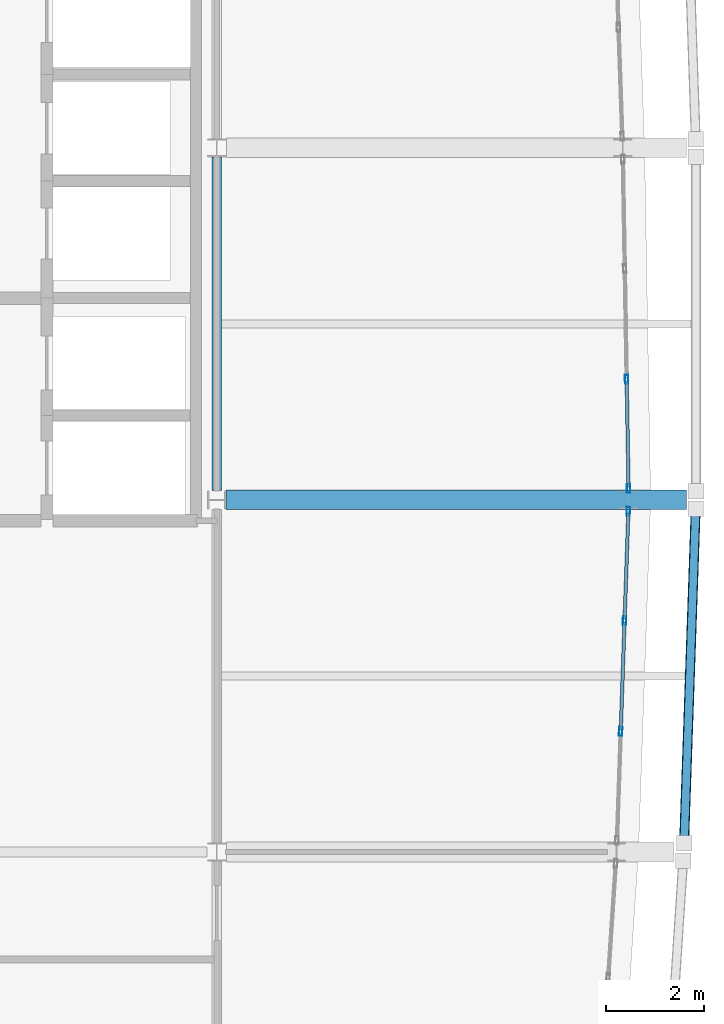
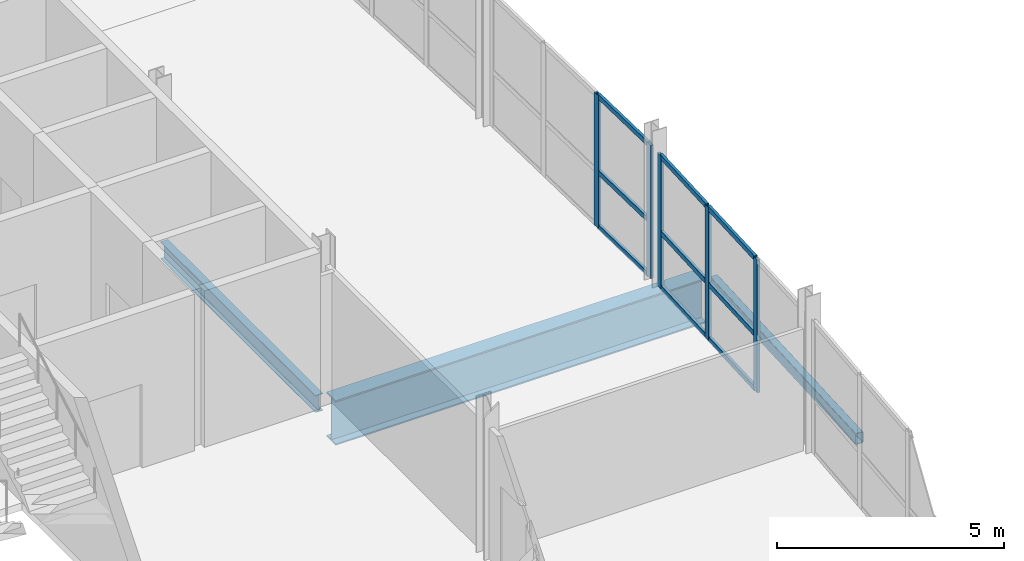
# One storey, part 6 of 23: 14 members, 3 beams, 2 elements without a shape of their own.
"""IFC4 building model written with IfcOpenShell, lengths in metres."""

from ifc_helpers import new_model, si_unit, direction, frame, origin, origin_2d, place, context, subcontext, project, spatial, hollow_rectangle, i_section, extrude, material, layer, layer_set, material_profile, profile_set, type_object, element, aggregate, save


model = new_model("IFC4")

# Units and contexts
model_context = context("Model", 3, precision=1e-05, world=origin(), true_north=direction((0.0, 1.0)))
body_context = subcontext(model_context, "Body", "Model", "MODEL_VIEW")
ifc_project = project(units=[si_unit("LENGTHUNIT", "METRE"), si_unit("AREAUNIT", "SQUARE_METRE"), si_unit("VOLUMEUNIT", "CUBIC_METRE"), si_unit("PLANEANGLEUNIT", "RADIAN"), si_unit("MASSUNIT", "GRAM", prefix="KILO")], contexts=[model_context])

# Site, building, storey
site_placement = place(None, origin())
site = spatial("IfcSite", under=ifc_project, at=site_placement, CompositionType="ELEMENT")
building_placement = place(site_placement, origin())
building = spatial("IfcBuilding", under=site, at=building_placement, Name="Quillay Park Conservatory", CompositionType="ELEMENT")
storey_placement = place(building_placement, frame((0.0, 0.0, 22.5)))
storey = spatial("IfcBuildingStorey", under=building, at=storey_placement, Name="L05", CompositionType="ELEMENT", Elevation=22.5)

# Curtain wall, members
ifc_material_1 = material(Name="Thermally Broken Anodised Aluminium 6063-T6", Category="aluminium")
ifc_layer = layer(ifc_material_1, 0.179931640625)
ifc_layer_set = layer_set([ifc_layer], Name="UNITISED CURTAIN WALL TOWER (Thermally Broken Anodised Aluminium 6063-T6)")
curtain_wall_type = type_object("IfcCurtainWallType", Name="UNITISED CURTAIN WALL TOWER", PredefinedType="USERDEFINED", material=ifc_layer_set)
curtain_wall_1_placement = place(storey_placement, origin())
curtain_wall_1 = element("IfcCurtainWall", 1, at=curtain_wall_1_placement, inside=storey, type_object=curtain_wall_type, Name="L05 Unitised Curtain Wall 050", ObjectType="UNITISED CURTAIN WALL", PredefinedType="USERDEFINED")
ifc_material_2 = material(Name="Thermally Broken Anodised Aluminium 6063-T6", Category="aluminium")
ifc_material_profile_1 = material_profile(ifc_material_2, hollow_rectangle(XDim=0.070068359375, YDim=0.179931640625, WallThickness=0.00390625, at=origin_2d()), Name="AL70x180x4")
ifc_profile_set_1 = profile_set([ifc_material_profile_1], Name="Thermally Broken Anodised Aluminium 6063-T6")
member_type_1 = type_object("IfcMemberType", Name="CURTAIN WALL MULLION 70 X180", PredefinedType="MULLION", material=ifc_profile_set_1)
member_1_placement = place(storey_placement, frame((28.1669921875, 84.965087890625, 0.0), z_axis=(0.0, 0.0, 1.0), x_axis=(0.999397310446, -0.034713338537, 0.0)))
member_1 = element("IfcMember", 2, at=member_1_placement, type_object=member_type_1, Name="CW-T1 mullion 1", PredefinedType="MULLION", context=body_context, shape_type="SweptSolid", body=[
    extrude(hollow_rectangle(XDim=0.070068359375, YDim=0.179931640625, WallThickness=0.00390625, at=origin_2d()), origin(), (0.0, 0.0, 1.0), 3.569091796875),
])
member_2_placement = place(storey_placement, frame((28.08935546875, 82.7333984375, 0.0), z_axis=(0.0, 0.0, 1.0), x_axis=(0.999397310446, -0.034713338537, 0.0)))
member_2 = element("IfcMember", 3, at=member_2_placement, type_object=member_type_1, Name="CW-T1 mullion 2", PredefinedType="MULLION", context=body_context, shape_type="SweptSolid", body=[
    extrude(hollow_rectangle(XDim=0.070068359375, YDim=0.179931640625, WallThickness=0.00390625, at=origin_2d()), origin(), (0.0, 0.0, 1.0), 3.569091796875),
])
member_3_placement = place(storey_placement, frame((28.0107421875, 80.466552734375, 0.0), z_axis=(0.0, 0.0, 1.0), x_axis=(0.999397310446, -0.034713338537, 0.0)))
member_3 = element("IfcMember", 4, at=member_3_placement, type_object=member_type_1, Name="CW-T1 mullion 3", PredefinedType="MULLION", context=body_context, shape_type="SweptSolid", body=[
    extrude(hollow_rectangle(XDim=0.070068359375, YDim=0.179931640625, WallThickness=0.00390625, at=origin_2d()), origin(), (0.0, 0.0, 1.0), 3.569091796875),
])

curtain_wall_2_placement = place(storey_placement, origin())
curtain_wall_2 = element("IfcCurtainWall", 5, at=curtain_wall_2_placement, inside=storey, type_object=curtain_wall_type, Name="L05 Unitised Curtain Wall 051", ObjectType="UNITISED CURTAIN WALL", PredefinedType="USERDEFINED")
member_4_placement = place(storey_placement, frame((28.132080078125, 87.666748046875, 0.0), z_axis=(0.0, 0.0, 1.0), x_axis=(0.999849471711, 0.017350329071, 0.0)))
member_4 = element("IfcMember", 6, at=member_4_placement, type_object=member_type_1, Name="CW-T1 mullion 3", PredefinedType="MULLION", context=body_context, shape_type="SweptSolid", body=[
    extrude(hollow_rectangle(XDim=0.070068359375, YDim=0.179931640625, WallThickness=0.00390625, at=origin_2d()), origin(), (0.0, 0.0, 1.0), 3.569091796875),
])
member_5_placement = place(storey_placement, frame((28.1708984375, 85.43505859375, 0.0), z_axis=(0.0, 0.0, 1.0), x_axis=(0.999849471711, 0.017350329071, 0.0)))
member_5 = element("IfcMember", 7, at=member_5_placement, type_object=member_type_1, Name="CW-T1 mullion 4", PredefinedType="MULLION", context=body_context, shape_type="SweptSolid", body=[
    extrude(hollow_rectangle(XDim=0.070068359375, YDim=0.179931640625, WallThickness=0.00390625, at=origin_2d()), origin(), (0.0, 0.0, 1.0), 3.569091796875),
])

# Member
ifc_material_3 = material(Name="Thermally Broken Anodised Aluminium 6063-T6", Category="aluminium")
ifc_material_profile_2 = material_profile(ifc_material_3, hollow_rectangle(XDim=0.070068359375, YDim=0.1298828125, WallThickness=0.003173828125, at=origin_2d()), Name="AL70x130x3.2")
ifc_profile_set_2 = profile_set([ifc_material_profile_2], Name="Thermally Broken Anodised Aluminium 6063-T6")
member_type_2 = type_object("IfcMemberType", Name="CURTAIN WALL TRANSOM 70 X130", PredefinedType="USERDEFINED", material=ifc_profile_set_2)
member_6_placement = place(storey_placement, frame((28.165771484375, 84.93017578125, 0.034912109375), z_axis=(-0.034761587249, -0.999395633396, 0.0), x_axis=(0.999395633396, -0.034761587249, 0.0)))
member_6 = element("IfcMember", 8, at=member_6_placement, type_object=member_type_2, Name="CW-T1 transom 1.1", ObjectType="TRANSOM", PredefinedType="USERDEFINED", context=body_context, shape_type="SweptSolid", body=[
    extrude(hollow_rectangle(XDim=0.070068359375, YDim=0.1298828125, WallThickness=0.003173828125, at=origin_2d()), origin(), (0.0, 0.0, 1.0), 2.1630859375),
])

member_7_placement = place(storey_placement, frame((28.165771484375, 84.93017578125, 1.4990234375), z_axis=(-0.034761587249, -0.999395633396, 0.0), x_axis=(0.999395633396, -0.034761587249, 0.0)))
member_7 = element("IfcMember", 9, at=member_7_placement, type_object=member_type_2, Name="CW-T1 transom 1.2", ObjectType="TRANSOM", PredefinedType="USERDEFINED", context=body_context, shape_type="SweptSolid", body=[
    extrude(hollow_rectangle(XDim=0.070068359375, YDim=0.1298828125, WallThickness=0.003173828125, at=origin_2d()), origin(), (0.0, 0.0, 1.0), 2.1630859375),
])

member_8_placement = place(storey_placement, frame((28.165771484375, 84.93017578125, 3.533935546875), z_axis=(-0.034761587249, -0.999395633396, 0.0), x_axis=(0.999395633396, -0.034761587249, 0.0)))
member_8 = element("IfcMember", 10, at=member_8_placement, type_object=member_type_2, Name="CW-T1 transom 1.3", ObjectType="TRANSOM", PredefinedType="USERDEFINED", context=body_context, shape_type="SweptSolid", body=[
    extrude(hollow_rectangle(XDim=0.070068359375, YDim=0.1298828125, WallThickness=0.003173828125, at=origin_2d()), origin(), (0.0, 0.0, 1.0), 2.1630859375),
])

member_9_placement = place(storey_placement, frame((28.088134765625, 82.698486328125, 0.034912109375), z_axis=(-0.034653546152, -0.999399385501, 0.0), x_axis=(0.999399385501, -0.034653546152, 0.0)))
member_9 = element("IfcMember", 11, at=member_9_placement, type_object=member_type_2, Name="CW-T1 transom 2.1", ObjectType="TRANSOM", PredefinedType="USERDEFINED", context=body_context, shape_type="SweptSolid", body=[
    extrude(hollow_rectangle(XDim=0.070068359375, YDim=0.1298828125, WallThickness=0.003173828125, at=origin_2d()), origin(), (0.0, 0.0, 1.0), 2.197998046875),
])

member_10_placement = place(storey_placement, frame((28.088134765625, 82.698486328125, 1.4990234375), z_axis=(-0.034653546152, -0.999399385501, 0.0), x_axis=(0.999399385501, -0.034653546152, 0.0)))
member_10 = element("IfcMember", 12, at=member_10_placement, type_object=member_type_2, Name="CW-T1 transom 2.2", ObjectType="TRANSOM", PredefinedType="USERDEFINED", context=body_context, shape_type="SweptSolid", body=[
    extrude(hollow_rectangle(XDim=0.070068359375, YDim=0.1298828125, WallThickness=0.003173828125, at=origin_2d()), origin(), (0.0, 0.0, 1.0), 2.197998046875),
])

member_11_placement = place(storey_placement, frame((28.088134765625, 82.698486328125, 3.533935546875), z_axis=(-0.034653546152, -0.999399385501, 0.0), x_axis=(0.999399385501, -0.034653546152, 0.0)))
member_11 = element("IfcMember", 13, at=member_11_placement, type_object=member_type_2, Name="CW-T1 transom 2.3", ObjectType="TRANSOM", PredefinedType="USERDEFINED", context=body_context, shape_type="SweptSolid", body=[
    extrude(hollow_rectangle(XDim=0.070068359375, YDim=0.1298828125, WallThickness=0.003173828125, at=origin_2d()), origin(), (0.0, 0.0, 1.0), 2.197998046875),
])

aggregate(curtain_wall_1, [member_1, member_2, member_3, member_6, member_7, member_8, member_9, member_10, member_11])

member_12_placement = place(storey_placement, frame((28.1328125, 87.631591796875, 0.034912109375), z_axis=(0.017277745819, -0.999850728609, 0.0), x_axis=(0.999850728609, 0.017277745819, 0.0)))
member_12 = element("IfcMember", 14, at=member_12_placement, type_object=member_type_2, Name="CW-T1 transom 3.1", ObjectType="TRANSOM", PredefinedType="USERDEFINED", context=body_context, shape_type="SweptSolid", body=[
    extrude(hollow_rectangle(XDim=0.070068359375, YDim=0.1298828125, WallThickness=0.003173828125, at=origin_2d()), origin(), (0.0, 0.0, 1.0), 2.161865234375),
])

member_13_placement = place(storey_placement, frame((28.1328125, 87.631591796875, 1.4990234375), z_axis=(0.017277745819, -0.999850728609, 0.0), x_axis=(0.999850728609, 0.017277745819, 0.0)))
member_13 = element("IfcMember", 15, at=member_13_placement, type_object=member_type_2, Name="CW-T1 transom 3.2", ObjectType="TRANSOM", PredefinedType="USERDEFINED", context=body_context, shape_type="SweptSolid", body=[
    extrude(hollow_rectangle(XDim=0.070068359375, YDim=0.1298828125, WallThickness=0.003173828125, at=origin_2d()), origin(), (0.0, 0.0, 1.0), 2.161865234375),
])

member_14_placement = place(storey_placement, frame((28.1328125, 87.631591796875, 3.533935546875), z_axis=(0.017277745819, -0.999850728609, 0.0), x_axis=(0.999850728609, 0.017277745819, 0.0)))
member_14 = element("IfcMember", 16, at=member_14_placement, type_object=member_type_2, Name="CW-T1 transom 3.3", ObjectType="TRANSOM", PredefinedType="USERDEFINED", context=body_context, shape_type="SweptSolid", body=[
    extrude(hollow_rectangle(XDim=0.070068359375, YDim=0.1298828125, WallThickness=0.003173828125, at=origin_2d()), origin(), (0.0, 0.0, 1.0), 2.161865234375),
])

aggregate(curtain_wall_2, [member_4, member_5, member_12, member_13, member_14])

# Beams
ifc_material_4 = material(Name="Steel S355J2H", Category="steel")
ifc_material_profile_3 = material_profile(ifc_material_4, hollow_rectangle(XDim=0.199951171875, YDim=0.300048828125, WallThickness=0.012451171875, InnerFilletRadius=0.012451171875, OuterFilletRadius=0.02490234375, at=origin_2d()), Name="RHS300x200x12.5")
ifc_profile_set_3 = profile_set([ifc_material_profile_3], Name="Steel S355J2H")
beam_type_1 = type_object("IfcBeamType", Name="PERIMETER SPANDREL BEAM RHS300", PredefinedType="SPANDREL", material=ifc_profile_set_3)
beam_1_placement = place(storey_placement, frame((29.306640625, 78.18994140625, -0.35009765625), z_axis=(0.034702550726, 0.999397685095, 0.0), x_axis=(-0.999397685095, 0.034702550726, 0.0)))
element("IfcBeam", 17, at=beam_1_placement, inside=storey, type_object=beam_type_1, Name="L05 beam BM-SPE-0417", PredefinedType="SPANDREL", context=body_context, shape_type="SweptSolid", body=[
    extrude(hollow_rectangle(XDim=0.199951171875, YDim=0.300048828125, WallThickness=0.012451171875, InnerFilletRadius=0.012451171875, OuterFilletRadius=0.02490234375, at=origin_2d()), origin(), (0.0, 0.0, 1.0), 6.82421875),
])
ifc_material_5 = material(Name="Steel ASTM A992 Grade 50", Category="steel")
ifc_material_profile_4 = material_profile(ifc_material_5, i_section(OverallWidth=0.19189453125, OverallDepth=0.462890625, WebThickness=0.010498046875, FlangeThickness=0.017578125, FilletRadius=0.012939453125, at=origin_2d()), Name="W460x89")
ifc_profile_set_4 = profile_set([ifc_material_profile_4], Name="Steel ASTM A992 Grade 50")
beam_type_2 = type_object("IfcBeamType", Name="PRIMARY FLOOR GIRDER W460 X89", PredefinedType="BEAM", material=ifc_profile_set_4)
beam_2_placement = place(storey_placement, frame((19.75, 85.3974609375, -0.431396484375), z_axis=(0.0, 1.0, 0.0), x_axis=(-1.0, 0.0, 0.0)))
element("IfcBeam", 18, at=beam_2_placement, inside=storey, type_object=beam_type_2, Name="L05 beam BM-GNS-0425", PredefinedType="BEAM", context=body_context, shape_type="SweptSolid", body=[
    extrude(i_section(OverallWidth=0.19189453125, OverallDepth=0.462890625, WebThickness=0.010498046875, FlangeThickness=0.017578125, FilletRadius=0.012939453125, at=origin_2d()), origin(), (0.0, 0.0, 1.0), 6.8125),
])
ifc_material_6 = material(Name="Steel ASTM A572 Grade 50", Category="steel")
ifc_material_profile_5 = material_profile(ifc_material_6, i_section(OverallWidth=0.39990234375, OverallDepth=1.199951171875, WebThickness=0.02001953125, FlangeThickness=0.0380859375, at=origin_2d()), Name="IG1200x400")
ifc_profile_set_5 = profile_set([ifc_material_profile_5], Name="Steel ASTM A572 Grade 50")
beam_type_3 = type_object("IfcBeamType", Name="TRANSFER PLATE GIRDER IG1200", PredefinedType="USERDEFINED", material=ifc_profile_set_5)
beam_3_placement = place(storey_placement, frame((19.93994140625, 85.199951171875, -0.800048828125), z_axis=(1.0, 0.0, 0.0), x_axis=(0.0, 1.0, 0.0)))
element("IfcBeam", 19, at=beam_3_placement, inside=storey, type_object=beam_type_3, Name="L05 beam BM-TG2-0390", ObjectType="TRANSFER PLATE GIRDER", PredefinedType="USERDEFINED", context=body_context, shape_type="SweptSolid", body=[
    extrude(i_section(OverallWidth=0.39990234375, OverallDepth=1.199951171875, WebThickness=0.02001953125, FlangeThickness=0.0380859375, at=origin_2d()), origin(), (0.0, 0.0, 1.0), 9.41259765625),
])

save(model, "model.ifc")
